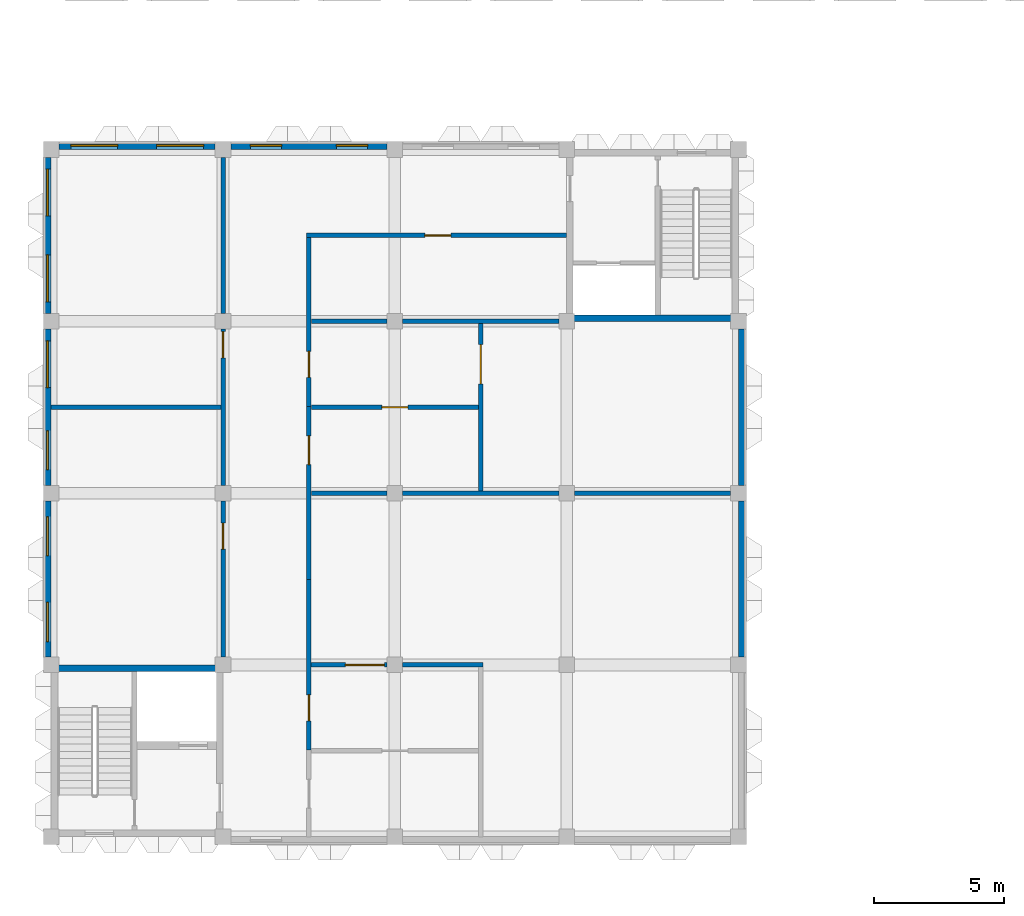
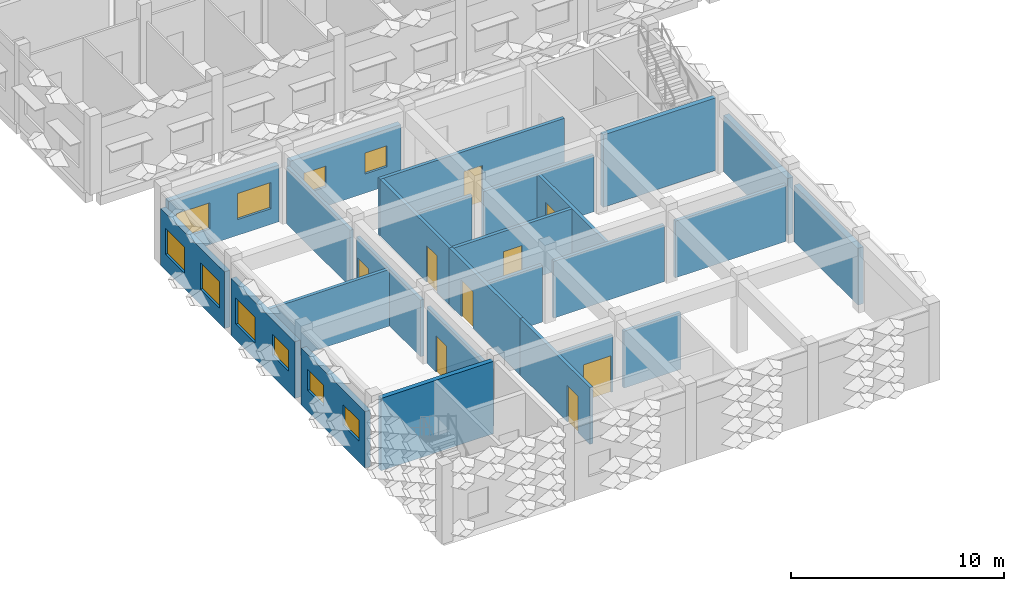
# One storey, part 33 of 87: 26 walls, 10 windows, 9 doors, 19 openings.
"""IFC4 building model written with IfcOpenShell, lengths in metres."""

from ifc_helpers import new_model, si_unit, direction, frame, frame_2d, origin, place, context, subcontext, project, spatial, rectangle, extrude, material, layer, layer_set, type_object, element, fill, save


model = new_model("IFC4")

# Units and contexts
model_context = context("Model", 3, precision=1e-05, world=origin(), true_north=direction((0.0, 1.0)))
body_context = subcontext(model_context, "Body", "Model", "MODEL_VIEW")
ifc_project = project(units=[si_unit("LENGTHUNIT", "METRE"), si_unit("AREAUNIT", "SQUARE_METRE"), si_unit("VOLUMEUNIT", "CUBIC_METRE"), si_unit("PLANEANGLEUNIT", "RADIAN"), si_unit("MASSUNIT", "GRAM", prefix="KILO")], contexts=[model_context])

# Site, building, storey
site_placement = place(None, origin())
site = spatial("IfcSite", under=ifc_project, at=site_placement, CompositionType="ELEMENT")
building_placement = place(site_placement, origin())
building = spatial("IfcBuilding", under=site, at=building_placement, Name="Lantern Court Research Institute", CompositionType="ELEMENT")
storey_placement = place(building_placement, frame((0.0, 0.0, 5.39990234375)))
storey = spatial("IfcBuildingStorey", under=building, at=storey_placement, Name="L01", CompositionType="ELEMENT", Elevation=5.39990234375)

# Wall, opening, door
ifc_material_1 = material(Name="Coated metal-faced insulated panel")
ifc_layer_1 = layer(ifc_material_1, 0.175048828125)
ifc_layer_set_1 = layer_set([ifc_layer_1], Name="Coated metal-faced insulated panel")
wall_type_1 = type_object("IfcWallType", Name="Clean room wall 175 mm EI 60", PredefinedType="PARTITIONING", material=ifc_layer_set_1)
wall_1_placement = place(storey_placement, frame((12.89990234375, 56.10009765625, 0.0), z_axis=(0.0, 0.0, 1.0), x_axis=(-1.0, 0.0, 0.0)))
wall_1 = element("IfcWall", 1, at=wall_1_placement, inside=storey, type_object=wall_type_1, Name="Wall V3-L01-002", PredefinedType="PARTITIONING", context=body_context, shape_type="SweptSolid", body=[
    extrude(rectangle(XDim=2.911865234375, YDim=0.175048828125, at=frame_2d((1.4560546875, 0.0))), origin(), (0.0, 0.0, 1.0), 3.25),
])
opening_1_placement = place(wall_1_placement, frame((0.10009765625, 0.0, 0.0)))
opening_1 = element("IfcOpeningElement", 2, at=opening_1_placement, cuts=wall_1, Name="Opening D3102", PredefinedType="OPENING", context=body_context, shape_type="SweptSolid", body=[
    extrude(rectangle(XDim=1.5, YDim=2.10009765625, at=frame_2d((0.75, 1.050048828125))), frame((0.0, 0.097412109375, 0.0), z_axis=(0.0, -1.0, 0.0), x_axis=(1.0, 0.0, 0.0)), (0.0, 0.0, 1.0), 0.195068359375),
])
ifc_material_2 = material(Name="Hygienic coated metal door leaf")
door_type_1 = type_object("IfcDoorType", Name="Door 1500 x 2100 clean room pair FD30S", OperationType="DOUBLE_DOOR_SINGLE_SWING", PredefinedType="DOOR", material=ifc_material_2)
door_1_placement = place(opening_1_placement, origin())
door_1 = element("IfcDoor", 3, at=door_1_placement, inside=storey, type_object=door_type_1, Name="Door D3102", OperationType="DOUBLE_DOOR_SINGLE_SWING", OverallHeight=2.10009765625, OverallWidth=1.5, PredefinedType="DOOR", context=body_context, shape_type="SweptSolid", body=[
    extrude(rectangle(XDim=1.5, YDim=2.10009765625, at=frame_2d((0.75, 1.050048828125))), frame((0.0, 0.02490234375, 0.0), z_axis=(0.0, -1.0, 0.0), x_axis=(1.0, 0.0, 0.0)), (0.0, 0.0, 1.0), 0.050048828125),
])
fill(opening_1, door_1)

# Walls
wall_2_placement = place(storey_placement, frame((13.5, 56.10009765625, 0.0), z_axis=(0.0, 0.0, 1.0), x_axis=(1.0, 0.0, 0.0)))
element("IfcWall", 4, at=wall_2_placement, inside=storey, type_object=wall_type_1, Name="Wall V3-L01-003", PredefinedType="PARTITIONING", context=body_context, shape_type="SweptSolid", body=[
    extrude(rectangle(XDim=3.0869140625, YDim=0.175048828125, at=frame_2d((1.54345703125, 0.0))), origin(), (0.0, 0.0, 1.0), 3.25),
])
wall_3_placement = place(storey_placement, frame((9.988037109375, 62.699951171875, 0.0), z_axis=(0.0, 0.0, 1.0), x_axis=(1.0, 0.0, 0.0)))
element("IfcWall", 5, at=wall_3_placement, inside=storey, type_object=wall_type_1, Name="Wall V3-L01-004", PredefinedType="PARTITIONING", context=body_context, shape_type="SweptSolid", body=[
    extrude(rectangle(XDim=2.911865234375, YDim=0.175048828125, at=frame_2d((1.4560546875, 0.0))), origin(), (0.0, 0.0, 1.0), 3.25),
])
for number, where, z_axis, x_axis, name in (
    (6, (13.5, 62.699951171875, 0.0), (0.0, 0.0, 1.0), (1.0, 0.0, 0.0), "Wall V3-L01-005"),
    (7, (20.10009765625, 62.699951171875, 0.0), (0.0, 0.0, 1.0), (1.0, 0.0, 0.0), "Wall V3-L01-006"),
):
    element("IfcWall", number, at=place(storey_placement, frame(where, z_axis=z_axis, x_axis=x_axis)), inside=storey, type_object=wall_type_1, Name=name, PredefinedType="PARTITIONING", context=body_context, shape_type="SweptSolid", body=[
        extrude(rectangle(XDim=6.0, YDim=0.175048828125, at=frame_2d((3.0, 0.0))), origin(), (0.0, 0.0, 1.0), 3.25),
    ])
wall_4_placement = place(storey_placement, frame((0.0, 66.0, 0.0), z_axis=(0.0, 0.0, 1.0), x_axis=(1.0, 0.0, 0.0)))
element("IfcWall", 8, at=wall_4_placement, inside=storey, type_object=wall_type_1, Name="Wall V3-L01-007", PredefinedType="PARTITIONING", context=body_context, shape_type="SweptSolid", body=[
    extrude(rectangle(XDim=6.511962890625, YDim=0.175048828125, at=frame_2d((3.255859375, 0.0))), origin(), (0.0, 0.0, 1.0), 3.25),
])

# Wall, opening, door
wall_5_placement = place(storey_placement, frame((16.4130859375, 66.0, 0.0), z_axis=(0.0, 0.0, 1.0), x_axis=(-1.0, 0.0, 0.0)))
wall_5 = element("IfcWall", 9, at=wall_5_placement, inside=storey, type_object=wall_type_1, Name="Wall V3-L01-008", PredefinedType="PARTITIONING", context=body_context, shape_type="SweptSolid", body=[
    extrude(rectangle(XDim=6.425048828125, YDim=0.175048828125, at=frame_2d((3.21240234375, 0.0))), origin(), (0.0, 0.0, 1.0), 3.25),
])
opening_2_placement = place(wall_5_placement, frame((2.712890625, 0.0, 0.0)))
opening_2 = element("IfcOpeningElement", 10, at=opening_2_placement, cuts=wall_5, Name="Opening D3103", PredefinedType="OPENING", context=body_context, shape_type="SweptSolid", body=[
    extrude(rectangle(XDim=1.0, YDim=2.10009765625, at=frame_2d((0.5, 1.050048828125))), frame((0.0, 0.097412109375, 0.0), z_axis=(0.0, -1.0, 0.0), x_axis=(1.0, 0.0, 0.0)), (0.0, 0.0, 1.0), 0.195068359375),
])
ifc_material_3 = material(Name="Hygienic coated metal door leaf")
door_type_2 = type_object("IfcDoorType", Name="Door 1000 x 2100 clean room FD30S", OperationType="NOTDEFINED", PredefinedType="DOOR", material=ifc_material_3)
door_2_placement = place(opening_2_placement, origin())
door_2 = element("IfcDoor", 11, at=door_2_placement, inside=storey, type_object=door_type_2, Name="Door D3103", OperationType="SINGLE_SWING_RIGHT", OverallHeight=2.10009765625, OverallWidth=1.0, PredefinedType="DOOR", context=body_context, shape_type="SweptSolid", body=[
    extrude(rectangle(XDim=1.0, YDim=2.10009765625, at=frame_2d((0.5, 1.050048828125))), frame((0.0, 0.02490234375, 0.0), z_axis=(0.0, -1.0, 0.0), x_axis=(1.0, 0.0, 0.0)), (0.0, 0.0, 1.0), 0.050048828125),
])
fill(opening_2, door_2)

# Walls
wall_6_placement = place(storey_placement, frame((9.988037109375, 69.300048828125, 0.0), z_axis=(0.0, 0.0, 1.0), x_axis=(1.0, 0.0, 0.0)))
element("IfcWall", 12, at=wall_6_placement, inside=storey, type_object=wall_type_1, Name="Wall V3-L01-009", PredefinedType="PARTITIONING", context=body_context, shape_type="SweptSolid", body=[
    extrude(rectangle(XDim=2.911865234375, YDim=0.175048828125, at=frame_2d((1.4560546875, 0.0))), origin(), (0.0, 0.0, 1.0), 3.25),
])
wall_7_placement = place(storey_placement, frame((13.5, 69.300048828125, 0.0), z_axis=(0.0, 0.0, 1.0), x_axis=(1.0, 0.0, 0.0)))
element("IfcWall", 13, at=wall_7_placement, inside=storey, type_object=wall_type_1, Name="Wall V3-L01-010", PredefinedType="PARTITIONING", context=body_context, shape_type="SweptSolid", body=[
    extrude(rectangle(XDim=6.0, YDim=0.175048828125, at=frame_2d((3.0, 0.0))), origin(), (0.0, 0.0, 1.0), 3.25),
])

# Wall, opening, door
wall_8_placement = place(storey_placement, frame((19.800048828125, 72.60009765625, 0.0), z_axis=(0.0, 0.0, 1.0), x_axis=(-1.0, 0.0, 0.0)))
wall_8 = element("IfcWall", 14, at=wall_8_placement, inside=storey, type_object=wall_type_1, Name="Wall V3-L01-011", PredefinedType="PARTITIONING", context=body_context, shape_type="SweptSolid", body=[
    extrude(rectangle(XDim=9.988037109375, YDim=0.175048828125, at=frame_2d((4.994140625, 0.0))), origin(), (0.0, 0.0, 1.0), 3.25),
])
opening_3_placement = place(wall_8_placement, frame((4.449951171875, 0.0, 0.0)))
opening_3 = element("IfcOpeningElement", 15, at=opening_3_placement, cuts=wall_8, Name="Opening D3104", PredefinedType="OPENING", context=body_context, shape_type="SweptSolid", body=[
    extrude(rectangle(XDim=1.0, YDim=2.10009765625, at=frame_2d((0.5, 1.050048828125))), frame((0.0, 0.097412109375, 0.0), z_axis=(0.0, -1.0, 0.0), x_axis=(1.0, 0.0, 0.0)), (0.0, 0.0, 1.0), 0.195068359375),
])
ifc_material_4 = material(Name="Coated metal door leaf")
door_type_3 = type_object("IfcDoorType", Name="Door 1000 x 2100 plant FD60", OperationType="NOTDEFINED", PredefinedType="DOOR", material=ifc_material_4)
door_3_placement = place(opening_3_placement, origin())
door_3 = element("IfcDoor", 16, at=door_3_placement, inside=storey, type_object=door_type_3, Name="Door D3104", OperationType="SINGLE_SWING_RIGHT", OverallHeight=2.10009765625, OverallWidth=1.0, PredefinedType="DOOR", context=body_context, shape_type="SweptSolid", body=[
    extrude(rectangle(XDim=1.0, YDim=2.10009765625, at=frame_2d((0.5, 1.050048828125))), frame((0.0, 0.02490234375, 0.0), z_axis=(0.0, -1.0, 0.0), x_axis=(1.0, 0.0, 0.0)), (0.0, 0.0, 1.0), 0.050048828125),
])
fill(opening_3, door_3)

wall_9_placement = place(storey_placement, frame((6.60009765625, 56.39990234375, 0.0), z_axis=(0.0, 0.0, 1.0), x_axis=(0.0, 1.0, 0.0)))
wall_9 = element("IfcWall", 17, at=wall_9_placement, inside=storey, type_object=wall_type_1, Name="Wall V3-L01-012", PredefinedType="PARTITIONING", context=body_context, shape_type="SweptSolid", body=[
    extrude(rectangle(XDim=6.0, YDim=0.175048828125, at=frame_2d((3.0, 0.0))), origin(), (0.0, 0.0, 1.0), 3.25),
])
opening_4_placement = place(wall_9_placement, frame((4.14990234375, 0.0, 0.0)))
opening_4 = element("IfcOpeningElement", 18, at=opening_4_placement, cuts=wall_9, Name="Opening D3105", PredefinedType="OPENING", context=body_context, shape_type="SweptSolid", body=[
    extrude(rectangle(XDim=1.0, YDim=2.10009765625, at=frame_2d((0.5, 1.050048828125))), frame((0.0, 0.097412109375, 0.0), z_axis=(0.0, -1.0, 0.0), x_axis=(1.0, 0.0, 0.0)), (0.0, 0.0, 1.0), 0.195068359375),
])
door_4_placement = place(opening_4_placement, origin())
door_4 = element("IfcDoor", 19, at=door_4_placement, inside=storey, type_object=door_type_2, Name="Door D3105", OperationType="SINGLE_SWING_LEFT", OverallHeight=2.10009765625, OverallWidth=1.0, PredefinedType="DOOR", context=body_context, shape_type="SweptSolid", body=[
    extrude(rectangle(XDim=1.0, YDim=2.10009765625, at=frame_2d((0.5, 1.050048828125))), frame((0.0, 0.02490234375, 0.0), z_axis=(0.0, -1.0, 0.0), x_axis=(1.0, 0.0, 0.0)), (0.0, 0.0, 1.0), 0.050048828125),
])
fill(opening_4, door_4)

wall_10_placement = place(storey_placement, frame((6.60009765625, 63.0, 0.0), z_axis=(0.0, 0.0, 1.0), x_axis=(0.0, 1.0, 0.0)))
wall_10 = element("IfcWall", 20, at=wall_10_placement, inside=storey, type_object=wall_type_1, Name="Wall V3-L01-013", PredefinedType="PARTITIONING", context=body_context, shape_type="SweptSolid", body=[
    extrude(rectangle(XDim=6.0, YDim=0.175048828125, at=frame_2d((3.0, 0.0))), origin(), (0.0, 0.0, 1.0), 3.25),
])
opening_5_placement = place(wall_10_placement, frame((4.89990234375, 0.0, 0.0)))
opening_5 = element("IfcOpeningElement", 21, at=opening_5_placement, cuts=wall_10, Name="Opening D3106", PredefinedType="OPENING", context=body_context, shape_type="SweptSolid", body=[
    extrude(rectangle(XDim=1.0, YDim=2.10009765625, at=frame_2d((0.5, 1.050048828125))), frame((0.0, 0.097412109375, 0.0), z_axis=(0.0, -1.0, 0.0), x_axis=(1.0, 0.0, 0.0)), (0.0, 0.0, 1.0), 0.195068359375),
])
door_5_placement = place(opening_5_placement, origin())
door_5 = element("IfcDoor", 22, at=door_5_placement, inside=storey, type_object=door_type_2, Name="Door D3106", OperationType="SINGLE_SWING_LEFT", OverallHeight=2.10009765625, OverallWidth=1.0, PredefinedType="DOOR", context=body_context, shape_type="SweptSolid", body=[
    extrude(rectangle(XDim=1.0, YDim=2.10009765625, at=frame_2d((0.5, 1.050048828125))), frame((0.0, 0.02490234375, 0.0), z_axis=(0.0, -1.0, 0.0), x_axis=(1.0, 0.0, 0.0)), (0.0, 0.0, 1.0), 0.050048828125),
])
fill(opening_5, door_5)

# Wall
wall_11_placement = place(storey_placement, frame((6.60009765625, 69.60009765625, 0.0), z_axis=(0.0, 0.0, 1.0), x_axis=(0.0, 1.0, 0.0)))
element("IfcWall", 23, at=wall_11_placement, inside=storey, type_object=wall_type_1, Name="Wall V3-L01-014", PredefinedType="PARTITIONING", context=body_context, shape_type="SweptSolid", body=[
    extrude(rectangle(XDim=6.0, YDim=0.175048828125, at=frame_2d((3.0, 0.0))), origin(), (0.0, 0.0, 1.0), 3.25),
])

# Wall, opening, door
wall_12_placement = place(storey_placement, frame((9.89990234375, 52.824951171875, 0.0), z_axis=(0.0, 0.0, 1.0), x_axis=(0.0, 1.0, 0.0)))
wall_12 = element("IfcWall", 24, at=wall_12_placement, inside=storey, type_object=wall_type_1, Name="Wall V3-L01-016", PredefinedType="PARTITIONING", context=body_context, shape_type="SweptSolid", body=[
    extrude(rectangle(XDim=6.550048828125, YDim=0.175048828125, at=frame_2d((3.27490234375, 0.0))), origin(), (0.0, 0.0, 1.0), 3.25),
])
opening_6_placement = place(wall_12_placement, frame((1.125, 0.0, 0.0)))
opening_6 = element("IfcOpeningElement", 25, at=opening_6_placement, cuts=wall_12, Name="Opening D3108", PredefinedType="OPENING", context=body_context, shape_type="SweptSolid", body=[
    extrude(rectangle(XDim=1.0, YDim=2.10009765625, at=frame_2d((0.5, 1.050048828125))), frame((0.0, 0.097412109375, 0.0), z_axis=(0.0, -1.0, 0.0), x_axis=(1.0, 0.0, 0.0)), (0.0, 0.0, 1.0), 0.195068359375),
])
door_6_placement = place(opening_6_placement, origin())
door_6 = element("IfcDoor", 26, at=door_6_placement, inside=storey, type_object=door_type_2, Name="Door D3108", OperationType="SINGLE_SWING_RIGHT", OverallHeight=2.10009765625, OverallWidth=1.0, PredefinedType="DOOR", context=body_context, shape_type="SweptSolid", body=[
    extrude(rectangle(XDim=1.0, YDim=2.10009765625, at=frame_2d((0.5, 1.050048828125))), frame((0.0, 0.02490234375, 0.0), z_axis=(0.0, -1.0, 0.0), x_axis=(1.0, 0.0, 0.0)), (0.0, 0.0, 1.0), 0.050048828125),
])
fill(opening_6, door_6)

wall_13_placement = place(storey_placement, frame((9.89990234375, 66.02490234375, 0.0), z_axis=(0.0, 0.0, 1.0), x_axis=(0.0, -1.0, 0.0)))
wall_13 = element("IfcWall", 27, at=wall_13_placement, inside=storey, type_object=wall_type_1, Name="Wall V3-L01-017", PredefinedType="PARTITIONING", context=body_context, shape_type="SweptSolid", body=[
    extrude(rectangle(XDim=6.64990234375, YDim=0.175048828125, at=frame_2d((3.324951171875, 0.0))), origin(), (0.0, 0.0, 1.0), 3.25),
])
opening_7_placement = place(wall_13_placement, frame((1.125, 0.0, 0.0)))
opening_7 = element("IfcOpeningElement", 28, at=opening_7_placement, cuts=wall_13, Name="Opening D3109", PredefinedType="OPENING", context=body_context, shape_type="SweptSolid", body=[
    extrude(rectangle(XDim=1.10009765625, YDim=2.10009765625, at=frame_2d((0.550048828125, 1.050048828125))), frame((0.0, 0.097412109375, 0.0), z_axis=(0.0, -1.0, 0.0), x_axis=(1.0, 0.0, 0.0)), (0.0, 0.0, 1.0), 0.195068359375),
])
ifc_material_5 = material(Name="Hygienic coated metal door leaf")
door_type_4 = type_object("IfcDoorType", Name="Door 1100 x 2100 gowning FD30S", OperationType="NOTDEFINED", PredefinedType="DOOR", material=ifc_material_5)
door_7_placement = place(opening_7_placement, origin())
door_7 = element("IfcDoor", 29, at=door_7_placement, inside=storey, type_object=door_type_4, Name="Door D3109", OperationType="SINGLE_SWING_RIGHT", OverallHeight=2.10009765625, OverallWidth=1.10009765625, PredefinedType="DOOR", context=body_context, shape_type="SweptSolid", body=[
    extrude(rectangle(XDim=1.10009765625, YDim=2.10009765625, at=frame_2d((0.550048828125, 1.050048828125))), frame((0.0, 0.02490234375, 0.0), z_axis=(0.0, -1.0, 0.0), x_axis=(1.0, 0.0, 0.0)), (0.0, 0.0, 1.0), 0.050048828125),
])
fill(opening_7, door_7)

wall_14_placement = place(storey_placement, frame((9.89990234375, 66.02490234375, 0.0), z_axis=(0.0, 0.0, 1.0), x_axis=(0.0, 1.0, 0.0)))
wall_14 = element("IfcWall", 30, at=wall_14_placement, inside=storey, type_object=wall_type_1, Name="Wall V3-L01-018", PredefinedType="PARTITIONING", context=body_context, shape_type="SweptSolid", body=[
    extrude(rectangle(XDim=6.487060546875, YDim=0.175048828125, at=frame_2d((3.24365234375, 0.0))), origin(), (0.0, 0.0, 1.0), 3.25),
])
opening_8_placement = place(wall_14_placement, frame((1.125, 0.0, 0.0)))
opening_8 = element("IfcOpeningElement", 31, at=opening_8_placement, cuts=wall_14, Name="Opening D3110", PredefinedType="OPENING", context=body_context, shape_type="SweptSolid", body=[
    extrude(rectangle(XDim=1.0, YDim=2.10009765625, at=frame_2d((0.5, 1.050048828125))), frame((0.0, 0.097412109375, 0.0), z_axis=(0.0, -1.0, 0.0), x_axis=(1.0, 0.0, 0.0)), (0.0, 0.0, 1.0), 0.195068359375),
])
door_8_placement = place(opening_8_placement, origin())
door_8 = element("IfcDoor", 32, at=door_8_placement, inside=storey, type_object=door_type_2, Name="Door D3110", OperationType="SINGLE_SWING_RIGHT", OverallHeight=2.10009765625, OverallWidth=1.0, PredefinedType="DOOR", context=body_context, shape_type="SweptSolid", body=[
    extrude(rectangle(XDim=1.0, YDim=2.10009765625, at=frame_2d((0.5, 1.050048828125))), frame((0.0, 0.02490234375, 0.0), z_axis=(0.0, -1.0, 0.0), x_axis=(1.0, 0.0, 0.0)), (0.0, 0.0, 1.0), 0.050048828125),
])
fill(opening_8, door_8)

wall_15_placement = place(storey_placement, frame((16.5, 62.7880859375, 0.0), z_axis=(0.0, 0.0, 1.0), x_axis=(0.0, 1.0, 0.0)))
wall_15 = element("IfcWall", 33, at=wall_15_placement, inside=storey, type_object=wall_type_1, Name="Wall V3-L01-020", PredefinedType="PARTITIONING", context=body_context, shape_type="SweptSolid", body=[
    extrude(rectangle(XDim=6.423828125, YDim=0.175048828125, at=frame_2d((3.2119140625, 0.0))), origin(), (0.0, 0.0, 1.0), 3.25),
])
opening_9_placement = place(wall_15_placement, frame((4.112060546875, 0.0, 0.0)))
opening_9 = element("IfcOpeningElement", 34, at=opening_9_placement, cuts=wall_15, Name="Opening D3111", PredefinedType="OPENING", context=body_context, shape_type="SweptSolid", body=[
    extrude(rectangle(XDim=1.5, YDim=2.10009765625, at=frame_2d((0.75, 1.050048828125))), frame((0.0, 0.097412109375, 0.0), z_axis=(0.0, -1.0, 0.0), x_axis=(1.0, 0.0, 0.0)), (0.0, 0.0, 1.0), 0.195068359375),
])
door_9_placement = place(opening_9_placement, origin())
door_9 = element("IfcDoor", 35, at=door_9_placement, inside=storey, type_object=door_type_1, Name="Door D3111", OperationType="DOUBLE_DOOR_SINGLE_SWING", OverallHeight=2.10009765625, OverallWidth=1.5, PredefinedType="DOOR", context=body_context, shape_type="SweptSolid", body=[
    extrude(rectangle(XDim=1.5, YDim=2.10009765625, at=frame_2d((0.75, 1.050048828125))), frame((0.0, 0.02490234375, 0.0), z_axis=(0.0, -1.0, 0.0), x_axis=(1.0, 0.0, 0.0)), (0.0, 0.0, 1.0), 0.050048828125),
])
fill(opening_9, door_9)

# Walls
ifc_material_6 = material(Name="Aluminium composite panel with mineral wool insulation", Category="aluminium")
ifc_layer_2 = layer(ifc_material_6, 0.300048828125)
ifc_layer_set_2 = layer_set([ifc_layer_2], Name="Aluminium composite panel with mineral wool insulation")
wall_type_2 = type_object("IfcWallType", Name="Insulated panel wall 300 aluminium faced", PredefinedType="STANDARD", material=ifc_layer_set_2)
for number, where, z_axis, x_axis, name in (
    (36, (26.550048828125, 62.39990234375, 0.0), (0.0, 0.0, 1.0), (0.0, -1.0, 0.0), "Exterior wall EW084"),
    (37, (26.550048828125, 69.0, 0.0), (0.0, 0.0, 1.0), (0.0, -1.0, 0.0), "Exterior wall EW085"),
):
    element("IfcWall", number, at=place(storey_placement, frame(where, z_axis=z_axis, x_axis=x_axis)), inside=storey, type_object=wall_type_2, Name=name, PredefinedType="STANDARD", context=body_context, shape_type="SweptSolid", body=[
        extrude(rectangle(XDim=6.0, YDim=0.300048828125, at=frame_2d((3.0, 0.0))), origin(), (0.0, 0.0, 1.0), 3.25),
    ])

# Wall, openings, windows
wall_16_placement = place(storey_placement, frame((0.300048828125, 76.050048828125, 0.0), z_axis=(0.0, 0.0, 1.0), x_axis=(1.0, 0.0, 0.0)))
wall_16 = element("IfcWall", 38, at=wall_16_placement, inside=storey, type_object=wall_type_2, Name="Exterior wall EW086", PredefinedType="STANDARD", context=body_context, shape_type="SweptSolid", body=[
    extrude(rectangle(XDim=6.0, YDim=0.300048828125, at=frame_2d((3.0, 0.0))), origin(), (0.0, 0.0, 1.0), 3.25),
])
opening_10_placement = place(wall_16_placement, frame((0.449951171875, 0.0, 0.89990234375)))
opening_10 = element("IfcOpeningElement", 39, at=opening_10_placement, cuts=wall_16, Name="Opening W14", PredefinedType="OPENING", context=body_context, shape_type="SweptSolid", body=[
    extrude(rectangle(XDim=1.800048828125, YDim=1.5, at=frame_2d((0.89990234375, 0.75))), frame((0.0, 0.159912109375, 0.0), z_axis=(0.0, -1.0, 0.0), x_axis=(1.0, 0.0, 0.0)), (0.0, 0.0, 1.0), 0.320068359375),
])
opening_11_placement = place(wall_16_placement, frame((3.75, 0.0, 0.89990234375)))
opening_11 = element("IfcOpeningElement", 40, at=opening_11_placement, cuts=wall_16, Name="Opening W14", PredefinedType="OPENING", context=body_context, shape_type="SweptSolid", body=[
    extrude(rectangle(XDim=1.800048828125, YDim=1.5, at=frame_2d((0.89990234375, 0.75))), frame((0.0, 0.159912109375, 0.0), z_axis=(0.0, -1.0, 0.0), x_axis=(1.0, 0.0, 0.0)), (0.0, 0.0, 1.0), 0.320068359375),
])
ifc_material_7 = material(Name="Aluminium frame with laminated low-emissivity glazing", Category="aluminium")
window_type_1 = type_object("IfcWindowType", Name="Office window 1800 x 1500", PartitioningType="SINGLE_PANEL", PredefinedType="WINDOW", material=ifc_material_7)
window_1_placement = place(opening_10_placement, origin())
window_1 = element("IfcWindow", 41, at=window_1_placement, inside=storey, type_object=window_type_1, Name="Window W14 V3N L01", OverallHeight=1.5, OverallWidth=1.800048828125, PartitioningType="SINGLE_PANEL", PredefinedType="WINDOW", context=body_context, shape_type="SweptSolid", body=[
    extrude(rectangle(XDim=1.800048828125, YDim=1.5, at=frame_2d((0.89990234375, 0.75))), frame((0.0, 0.030029296875, 0.0), z_axis=(0.0, -1.0, 0.0), x_axis=(1.0, 0.0, 0.0)), (0.0, 0.0, 1.0), 0.06005859375),
])
fill(opening_10, window_1)
window_2_placement = place(opening_11_placement, origin())
window_2 = element("IfcWindow", 42, at=window_2_placement, inside=storey, type_object=window_type_1, Name="Window W14 V3N L01", OverallHeight=1.5, OverallWidth=1.800048828125, PartitioningType="SINGLE_PANEL", PredefinedType="WINDOW", context=body_context, shape_type="SweptSolid", body=[
    extrude(rectangle(XDim=1.800048828125, YDim=1.5, at=frame_2d((0.89990234375, 0.75))), frame((0.0, 0.030029296875, 0.0), z_axis=(0.0, -1.0, 0.0), x_axis=(1.0, 0.0, 0.0)), (0.0, 0.0, 1.0), 0.06005859375),
])
fill(opening_11, window_2)

wall_17_placement = place(storey_placement, frame((6.89990234375, 76.050048828125, 0.0), z_axis=(0.0, 0.0, 1.0), x_axis=(1.0, 0.0, 0.0)))
wall_17 = element("IfcWall", 43, at=wall_17_placement, inside=storey, type_object=wall_type_2, Name="Exterior wall EW087", PredefinedType="STANDARD", context=body_context, shape_type="SweptSolid", body=[
    extrude(rectangle(XDim=6.0, YDim=0.300048828125, at=frame_2d((3.0, 0.0))), origin(), (0.0, 0.0, 1.0), 3.25),
])
opening_12_placement = place(wall_17_placement, frame((0.75, 0.0, 1.10009765625)))
opening_12 = element("IfcOpeningElement", 44, at=opening_12_placement, cuts=wall_17, Name="Opening W05", PredefinedType="OPENING", context=body_context, shape_type="SweptSolid", body=[
    extrude(rectangle(XDim=1.199951171875, YDim=1.199951171875, at=frame_2d((0.60009765625, 0.60009765625))), frame((0.0, 0.159912109375, 0.0), z_axis=(0.0, -1.0, 0.0), x_axis=(1.0, 0.0, 0.0)), (0.0, 0.0, 1.0), 0.320068359375),
])
opening_13_placement = place(wall_17_placement, frame((4.050048828125, 0.0, 1.10009765625)))
opening_13 = element("IfcOpeningElement", 45, at=opening_13_placement, cuts=wall_17, Name="Opening W05", PredefinedType="OPENING", context=body_context, shape_type="SweptSolid", body=[
    extrude(rectangle(XDim=1.199951171875, YDim=1.199951171875, at=frame_2d((0.60009765625, 0.60009765625))), frame((0.0, 0.159912109375, 0.0), z_axis=(0.0, -1.0, 0.0), x_axis=(1.0, 0.0, 0.0)), (0.0, 0.0, 1.0), 0.320068359375),
])
ifc_material_8 = material(Name="Aluminium frame with laminated low-emissivity glazing", Category="aluminium")
window_type_2 = type_object("IfcWindowType", Name="Corridor end window 1200 x 1200", PartitioningType="SINGLE_PANEL", PredefinedType="WINDOW", material=ifc_material_8)
window_3_placement = place(opening_12_placement, origin())
window_3 = element("IfcWindow", 46, at=window_3_placement, inside=storey, type_object=window_type_2, Name="Window W05 V3N L01", OverallHeight=1.199951171875, OverallWidth=1.199951171875, PartitioningType="SINGLE_PANEL", PredefinedType="WINDOW", context=body_context, shape_type="SweptSolid", body=[
    extrude(rectangle(XDim=1.199951171875, YDim=1.199951171875, at=frame_2d((0.60009765625, 0.60009765625))), frame((0.0, 0.030029296875, 0.0), z_axis=(0.0, -1.0, 0.0), x_axis=(1.0, 0.0, 0.0)), (0.0, 0.0, 1.0), 0.06005859375),
])
fill(opening_12, window_3)
window_4_placement = place(opening_13_placement, origin())
window_4 = element("IfcWindow", 47, at=window_4_placement, inside=storey, type_object=window_type_2, Name="Window W05 V3N L01", OverallHeight=1.199951171875, OverallWidth=1.199951171875, PartitioningType="SINGLE_PANEL", PredefinedType="WINDOW", context=body_context, shape_type="SweptSolid", body=[
    extrude(rectangle(XDim=1.199951171875, YDim=1.199951171875, at=frame_2d((0.60009765625, 0.60009765625))), frame((0.0, 0.030029296875, 0.0), z_axis=(0.0, -1.0, 0.0), x_axis=(1.0, 0.0, 0.0)), (0.0, 0.0, 1.0), 0.06005859375),
])
fill(opening_13, window_4)

wall_18_placement = place(storey_placement, frame((-0.14990234375, 56.39990234375, 0.0), z_axis=(0.0, 0.0, 1.0), x_axis=(0.0, 1.0, 0.0)))
wall_18 = element("IfcWall", 48, at=wall_18_placement, inside=storey, type_object=wall_type_2, Name="Exterior wall EW092", PredefinedType="STANDARD", context=body_context, shape_type="SweptSolid", body=[
    extrude(rectangle(XDim=6.0, YDim=0.300048828125, at=frame_2d((3.0, 0.0))), origin(), (0.0, 0.0, 1.0), 3.25),
])
opening_14_placement = place(wall_18_placement, frame((0.60009765625, 0.0, 1.199951171875)))
opening_14 = element("IfcOpeningElement", 49, at=opening_14_placement, cuts=wall_18, Name="Opening W04", PredefinedType="OPENING", context=body_context, shape_type="SweptSolid", body=[
    extrude(rectangle(XDim=1.5, YDim=1.199951171875, at=frame_2d((0.75, 0.60009765625))), frame((0.0, 0.159912109375, 0.0), z_axis=(0.0, -1.0, 0.0), x_axis=(1.0, 0.0, 0.0)), (0.0, 0.0, 1.0), 0.320068359375),
])
opening_15_placement = place(wall_18_placement, frame((3.89990234375, 0.0, 1.199951171875)))
opening_15 = element("IfcOpeningElement", 50, at=opening_15_placement, cuts=wall_18, Name="Opening W04", PredefinedType="OPENING", context=body_context, shape_type="SweptSolid", body=[
    extrude(rectangle(XDim=1.5, YDim=1.199951171875, at=frame_2d((0.75, 0.60009765625))), frame((0.0, 0.159912109375, 0.0), z_axis=(0.0, -1.0, 0.0), x_axis=(1.0, 0.0, 0.0)), (0.0, 0.0, 1.0), 0.320068359375),
])
ifc_material_9 = material(Name="Aluminium frame with laminated low-emissivity glazing", Category="aluminium")
window_type_3 = type_object("IfcWindowType", Name="Laboratory window 1500 x 1200", PartitioningType="SINGLE_PANEL", PredefinedType="WINDOW", material=ifc_material_9)
window_5_placement = place(opening_14_placement, origin())
window_5 = element("IfcWindow", 51, at=window_5_placement, inside=storey, type_object=window_type_3, Name="Window W04 V3W L01", OverallHeight=1.199951171875, OverallWidth=1.5, PartitioningType="SINGLE_PANEL", PredefinedType="WINDOW", context=body_context, shape_type="SweptSolid", body=[
    extrude(rectangle(XDim=1.5, YDim=1.199951171875, at=frame_2d((0.75, 0.60009765625))), frame((0.0, 0.030029296875, 0.0), z_axis=(0.0, -1.0, 0.0), x_axis=(1.0, 0.0, 0.0)), (0.0, 0.0, 1.0), 0.06005859375),
])
fill(opening_14, window_5)
window_6_placement = place(opening_15_placement, origin())
window_6 = element("IfcWindow", 52, at=window_6_placement, inside=storey, type_object=window_type_3, Name="Window W04 V3W L01", OverallHeight=1.199951171875, OverallWidth=1.5, PartitioningType="SINGLE_PANEL", PredefinedType="WINDOW", context=body_context, shape_type="SweptSolid", body=[
    extrude(rectangle(XDim=1.5, YDim=1.199951171875, at=frame_2d((0.75, 0.60009765625))), frame((0.0, 0.030029296875, 0.0), z_axis=(0.0, -1.0, 0.0), x_axis=(1.0, 0.0, 0.0)), (0.0, 0.0, 1.0), 0.06005859375),
])
fill(opening_15, window_6)

wall_19_placement = place(storey_placement, frame((-0.14990234375, 63.0, 0.0), z_axis=(0.0, 0.0, 1.0), x_axis=(0.0, 1.0, 0.0)))
wall_19 = element("IfcWall", 53, at=wall_19_placement, inside=storey, type_object=wall_type_2, Name="Exterior wall EW093", PredefinedType="STANDARD", context=body_context, shape_type="SweptSolid", body=[
    extrude(rectangle(XDim=6.0, YDim=0.300048828125, at=frame_2d((3.0, 0.0))), origin(), (0.0, 0.0, 1.0), 3.25),
])
opening_16_placement = place(wall_19_placement, frame((0.60009765625, 0.0, 1.199951171875)))
opening_16 = element("IfcOpeningElement", 54, at=opening_16_placement, cuts=wall_19, Name="Opening W04", PredefinedType="OPENING", context=body_context, shape_type="SweptSolid", body=[
    extrude(rectangle(XDim=1.5, YDim=1.199951171875, at=frame_2d((0.75, 0.60009765625))), frame((0.0, 0.159912109375, 0.0), z_axis=(0.0, -1.0, 0.0), x_axis=(1.0, 0.0, 0.0)), (0.0, 0.0, 1.0), 0.320068359375),
])
opening_17_placement = place(wall_19_placement, frame((3.75, 0.0, 0.89990234375)))
opening_17 = element("IfcOpeningElement", 55, at=opening_17_placement, cuts=wall_19, Name="Opening W14", PredefinedType="OPENING", context=body_context, shape_type="SweptSolid", body=[
    extrude(rectangle(XDim=1.800048828125, YDim=1.5, at=frame_2d((0.89990234375, 0.75))), frame((0.0, 0.159912109375, 0.0), z_axis=(0.0, -1.0, 0.0), x_axis=(1.0, 0.0, 0.0)), (0.0, 0.0, 1.0), 0.320068359375),
])
window_7_placement = place(opening_16_placement, origin())
window_7 = element("IfcWindow", 56, at=window_7_placement, inside=storey, type_object=window_type_3, Name="Window W04 V3W L01", OverallHeight=1.199951171875, OverallWidth=1.5, PartitioningType="SINGLE_PANEL", PredefinedType="WINDOW", context=body_context, shape_type="SweptSolid", body=[
    extrude(rectangle(XDim=1.5, YDim=1.199951171875, at=frame_2d((0.75, 0.60009765625))), frame((0.0, 0.030029296875, 0.0), z_axis=(0.0, -1.0, 0.0), x_axis=(1.0, 0.0, 0.0)), (0.0, 0.0, 1.0), 0.06005859375),
])
fill(opening_16, window_7)
window_8_placement = place(opening_17_placement, origin())
window_8 = element("IfcWindow", 57, at=window_8_placement, inside=storey, type_object=window_type_1, Name="Window W14 V3W L01", OverallHeight=1.5, OverallWidth=1.800048828125, PartitioningType="SINGLE_PANEL", PredefinedType="WINDOW", context=body_context, shape_type="SweptSolid", body=[
    extrude(rectangle(XDim=1.800048828125, YDim=1.5, at=frame_2d((0.89990234375, 0.75))), frame((0.0, 0.030029296875, 0.0), z_axis=(0.0, -1.0, 0.0), x_axis=(1.0, 0.0, 0.0)), (0.0, 0.0, 1.0), 0.06005859375),
])
fill(opening_17, window_8)

wall_20_placement = place(storey_placement, frame((-0.14990234375, 69.60009765625, 0.0), z_axis=(0.0, 0.0, 1.0), x_axis=(0.0, 1.0, 0.0)))
wall_20 = element("IfcWall", 58, at=wall_20_placement, inside=storey, type_object=wall_type_2, Name="Exterior wall EW094", PredefinedType="STANDARD", context=body_context, shape_type="SweptSolid", body=[
    extrude(rectangle(XDim=6.0, YDim=0.300048828125, at=frame_2d((3.0, 0.0))), origin(), (0.0, 0.0, 1.0), 3.25),
])
opening_18_placement = place(wall_20_placement, frame((0.449951171875, 0.0, 0.89990234375)))
opening_18 = element("IfcOpeningElement", 59, at=opening_18_placement, cuts=wall_20, Name="Opening W14", PredefinedType="OPENING", context=body_context, shape_type="SweptSolid", body=[
    extrude(rectangle(XDim=1.800048828125, YDim=1.5, at=frame_2d((0.89990234375, 0.75))), frame((0.0, 0.159912109375, 0.0), z_axis=(0.0, -1.0, 0.0), x_axis=(1.0, 0.0, 0.0)), (0.0, 0.0, 1.0), 0.320068359375),
])
opening_19_placement = place(wall_20_placement, frame((3.75, 0.0, 0.89990234375)))
opening_19 = element("IfcOpeningElement", 60, at=opening_19_placement, cuts=wall_20, Name="Opening W14", PredefinedType="OPENING", context=body_context, shape_type="SweptSolid", body=[
    extrude(rectangle(XDim=1.800048828125, YDim=1.5, at=frame_2d((0.89990234375, 0.75))), frame((0.0, 0.159912109375, 0.0), z_axis=(0.0, -1.0, 0.0), x_axis=(1.0, 0.0, 0.0)), (0.0, 0.0, 1.0), 0.320068359375),
])
window_9_placement = place(opening_18_placement, origin())
window_9 = element("IfcWindow", 61, at=window_9_placement, inside=storey, type_object=window_type_1, Name="Window W14 V3W L01", OverallHeight=1.5, OverallWidth=1.800048828125, PartitioningType="SINGLE_PANEL", PredefinedType="WINDOW", context=body_context, shape_type="SweptSolid", body=[
    extrude(rectangle(XDim=1.800048828125, YDim=1.5, at=frame_2d((0.89990234375, 0.75))), frame((0.0, 0.030029296875, 0.0), z_axis=(0.0, -1.0, 0.0), x_axis=(1.0, 0.0, 0.0)), (0.0, 0.0, 1.0), 0.06005859375),
])
fill(opening_18, window_9)
window_10_placement = place(opening_19_placement, origin())
window_10 = element("IfcWindow", 62, at=window_10_placement, inside=storey, type_object=window_type_1, Name="Window W14 V3W L01", OverallHeight=1.5, OverallWidth=1.800048828125, PartitioningType="SINGLE_PANEL", PredefinedType="WINDOW", context=body_context, shape_type="SweptSolid", body=[
    extrude(rectangle(XDim=1.800048828125, YDim=1.5, at=frame_2d((0.89990234375, 0.75))), frame((0.0, 0.030029296875, 0.0), z_axis=(0.0, -1.0, 0.0), x_axis=(1.0, 0.0, 0.0)), (0.0, 0.0, 1.0), 0.06005859375),
])
fill(opening_19, window_10)

# Walls
ifc_material_10 = material(Name="Concrete C40/50", Category="concrete")
ifc_layer_3 = layer(ifc_material_10, 0.25)
ifc_layer_set_3 = layer_set([ifc_layer_3], Name="Concrete C40/50")
wall_type_3 = type_object("IfcWallType", Name="RC core wall 250", PredefinedType="SHEAR", material=ifc_layer_set_3)
wall_21_placement = place(storey_placement, frame((6.35009765625, 55.97509765625, 0.0), z_axis=(0.0, 0.0, 1.0), x_axis=(-1.0, 0.0, 0.0)))
element("IfcWall", 63, at=wall_21_placement, inside=storey, type_object=wall_type_3, Name="North wall of core CC-A", PredefinedType="SHEAR", context=body_context, shape_type="SweptSolid", body=[
    extrude(rectangle(XDim=6.10009765625, YDim=0.25, at=frame_2d((3.050048828125, 0.0))), origin(), (0.0, 0.0, 1.0), 4.150146484375),
])
wall_22_placement = place(storey_placement, frame((20.050048828125, 69.425048828125, 0.0), z_axis=(0.0, 0.0, 1.0), x_axis=(1.0, 0.0, 0.0)))
element("IfcWall", 64, at=wall_22_placement, inside=storey, type_object=wall_type_3, Name="South wall of core CC-B", PredefinedType="SHEAR", context=body_context, shape_type="SweptSolid", body=[
    extrude(rectangle(XDim=6.099853515625, YDim=0.25, at=frame_2d((3.0498046875, 0.0))), origin(), (0.0, 0.0, 1.0), 4.150146484375),
])

save(model, "model.ifc")
